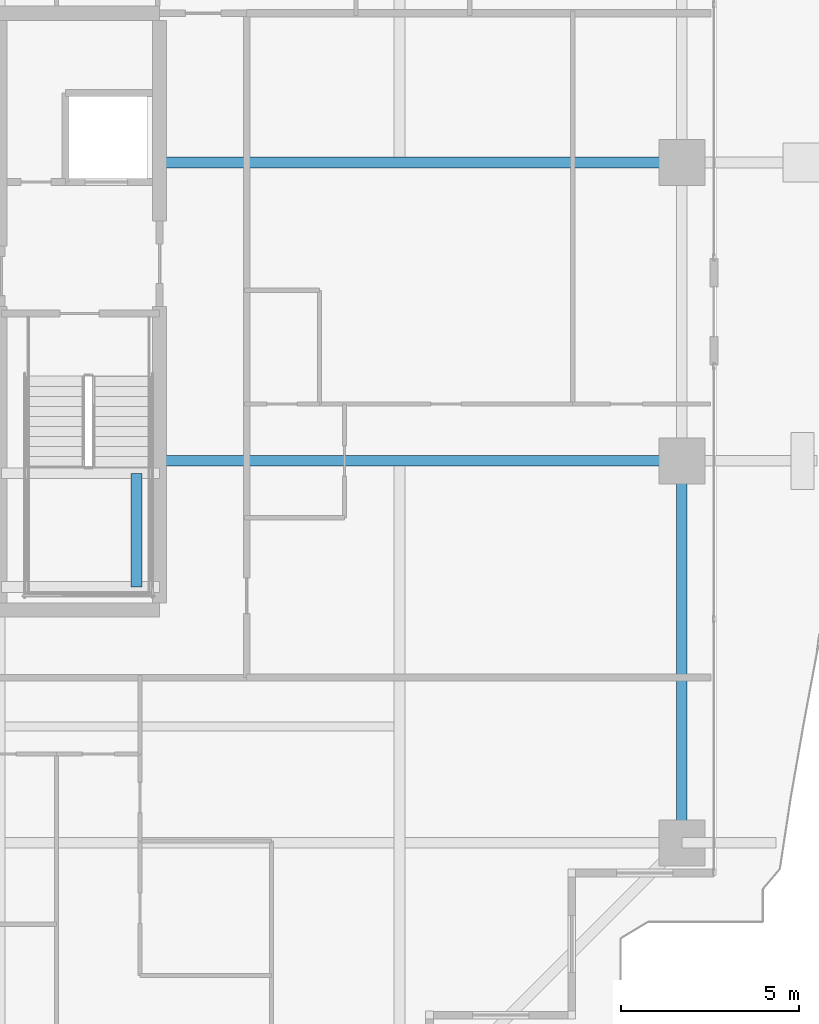
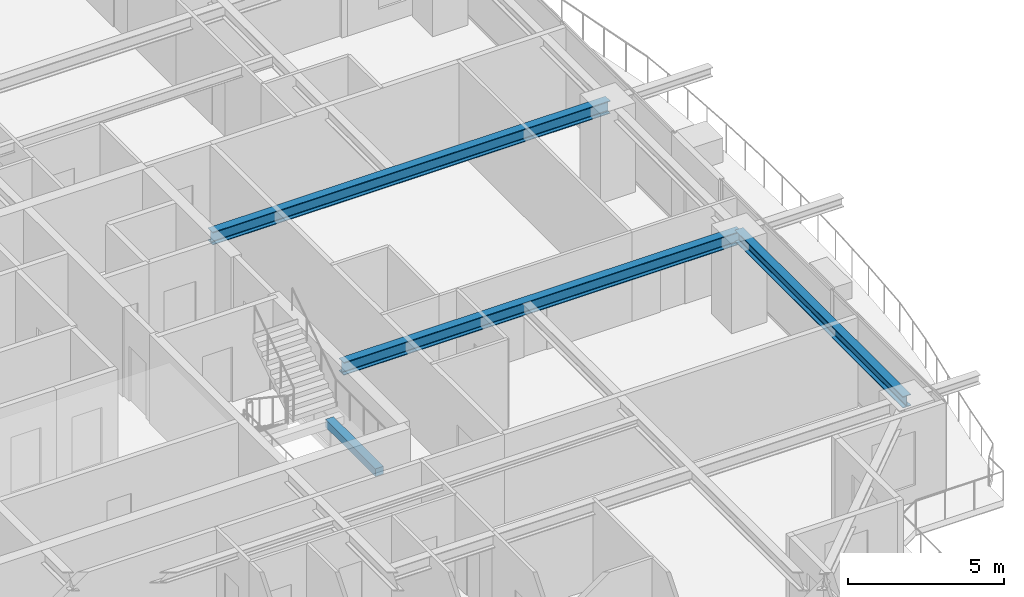
# One storey, part 13 of 36: 4 beams.
"""IFC4 building model written with IfcOpenShell, lengths in metres."""

from ifc_helpers import new_model, si_unit, direction, frame, origin, origin_2d, place, context, subcontext, project, spatial, rectangle, i_section, extrude, source, transform, mapped, material, material_profile, profile_set, type_object, element, save


model = new_model("IFC4")

# Units and contexts
model_context = context("Model", 3, precision=1e-05, world=origin(), true_north=direction((0.0, 1.0)))
body_context = subcontext(model_context, "Body", "Model", "MODEL_VIEW")
ifc_project = project(units=[si_unit("LENGTHUNIT", "METRE"), si_unit("AREAUNIT", "SQUARE_METRE"), si_unit("VOLUMEUNIT", "CUBIC_METRE"), si_unit("PLANEANGLEUNIT", "RADIAN"), si_unit("MASSUNIT", "GRAM", prefix="KILO")], contexts=[model_context])

# Site, building, storey
site_placement = place(None, origin())
site = spatial("IfcSite", under=ifc_project, at=site_placement, CompositionType="ELEMENT")
building_placement = place(site_placement, origin())
building = spatial("IfcBuilding", under=site, at=building_placement, Name="Serunith Strait Residences", CompositionType="ELEMENT")
storey_placement = place(building_placement, frame((0.0, 0.0, 146.39990234375)))
storey = spatial("IfcBuildingStorey", under=building, at=storey_placement, Name="L36", CompositionType="ELEMENT", Elevation=146.39990234375)

# Beams
ifc_material_1 = material(Name="Steel S355J2", Category="steel")
ifc_material_profile_1 = material_profile(ifc_material_1, i_section(OverallWidth=0.300048828125, OverallDepth=0.5, WebThickness=0.014404296875, FlangeThickness=0.028076171875, FilletRadius=0.027099609375, at=origin_2d()), Name="HEB 500")
ifc_profile_set_1 = profile_set([ifc_material_profile_1], Name="Steel S355J2")
beam_type_1 = type_object("IfcBeamType", Name="BM-HEB500", PredefinedType="BEAM", material=ifc_profile_set_1)
shared_shape_1 = source(origin(), body_context, "Body", "SweptSolid", [
    extrude(i_section(OverallWidth=0.300048828125, OverallDepth=0.5, WebThickness=0.014404296875, FlangeThickness=0.028076171875, FilletRadius=0.027099609375, at=origin_2d()), origin(), (0.0, 0.0, 1.0), 14.7001953125),
])
for number, where, z_axis, x_axis, name in (
    (1, (41.39990234375, 21.0, 3.237060546875), (1.0, 0.0, 0.0), (0.0, 1.0, 0.0), "L36 Primary Floor Girder TC-E2"),
    (2, (41.39990234375, 29.39990234375, 3.237060546875), (1.0, 0.0, 0.0), (0.0, 1.0, 0.0), "L36 Primary Floor Girder TC-E3"),
):
    element("IfcBeam", number, at=place(storey_placement, frame(where, z_axis=z_axis, x_axis=x_axis)), inside=storey, type_object=beam_type_1, Name=name, PredefinedType="BEAM", context=body_context, shape_type="MappedRepresentation", body=[
        mapped(shared_shape_1, transform((0.0, 0.0, 0.0), scale=1.0)),
    ])
ifc_material_profile_2 = material_profile(ifc_material_1, i_section(OverallWidth=0.300048828125, OverallDepth=0.449951171875, WebThickness=0.013916015625, FlangeThickness=0.02587890625, FilletRadius=0.027099609375, at=origin_2d()), Name="HEB 450")
ifc_profile_set_2 = profile_set([ifc_material_profile_2], Name="Steel S355J2")
beam_type_2 = type_object("IfcBeamType", Name="BM-HEB450", PredefinedType="BEAM", material=ifc_profile_set_2)
shared_shape_2 = source(origin(), body_context, "Body", "SweptSolid", [
    extrude(i_section(OverallWidth=0.300048828125, OverallDepth=0.449951171875, WebThickness=0.013916015625, FlangeThickness=0.02587890625, FilletRadius=0.027099609375, at=origin_2d()), origin(), (0.0, 0.0, 1.0), 10.75),
])
beam_1_placement = place(storey_placement, frame((56.10009765625, 10.25, 3.26220703125), z_axis=(0.0, 1.0, 0.0), x_axis=(-1.0, 0.0, 0.0)))
element("IfcBeam", 3, at=beam_1_placement, inside=storey, type_object=beam_type_2, Name="L36 Perimeter Ring Beam 05", PredefinedType="BEAM", context=body_context, shape_type="MappedRepresentation", body=[
    mapped(shared_shape_2, transform((0.0, 0.0, 0.0), scale=1.0)),
])
ifc_material_2 = material(Name="Concrete C60/75", Category="concrete")
ifc_material_profile_3 = material_profile(ifc_material_2, rectangle(XDim=0.300048828125, YDim=0.300048828125, at=origin_2d()), Name="RC 300x300")
ifc_profile_set_3 = profile_set([ifc_material_profile_3], Name="Concrete C60/75")
beam_type_3 = type_object("IfcBeamType", Name="BM-LAND-300x300", PredefinedType="BEAM", material=ifc_profile_set_3)
shared_shape_3 = source(origin(), body_context, "Body", "SweptSolid", [
    extrude(rectangle(XDim=0.300048828125, YDim=0.300048828125, at=origin_2d()), origin(), (0.0, 0.0, 1.0), 3.199951171875),
])
beam_2_placement = place(storey_placement, frame((40.75, 17.449951171875, 1.525146484375), z_axis=(0.0, 1.0, 0.0), x_axis=(-1.0, 0.0, 0.0)))
element("IfcBeam", 4, at=beam_2_placement, inside=storey, type_object=beam_type_3, Name="L36 ST-2 Landing Transverse Tie Beam", PredefinedType="BEAM", context=body_context, shape_type="MappedRepresentation", body=[
    mapped(shared_shape_3, transform((0.0, 0.0, 0.0), scale=1.0)),
])

save(model, "model.ifc")
